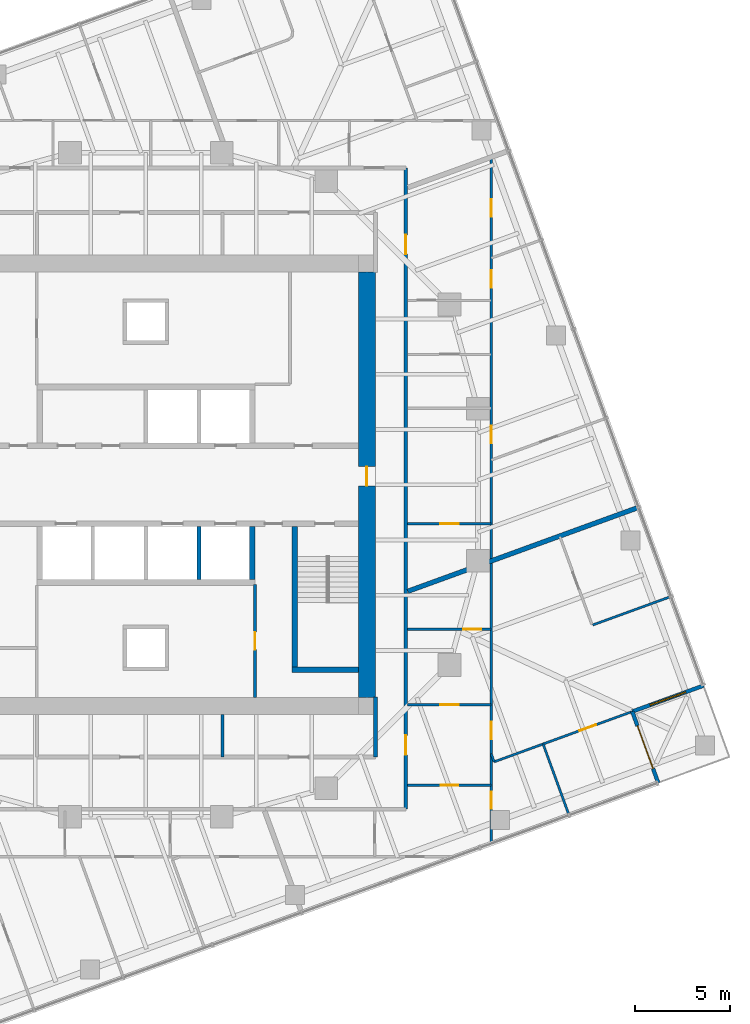
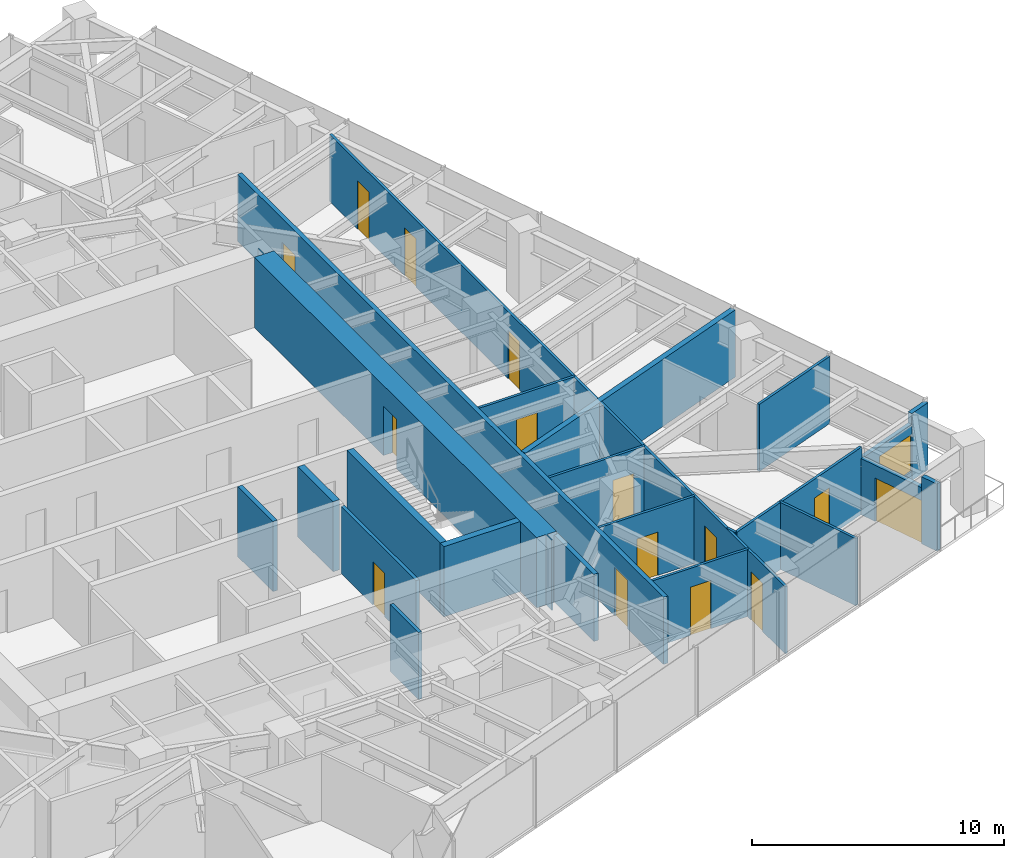
# One storey, part 9 of 13: 23 walls, 15 doors, 1 window, 16 openings.
"""IFC4 building model written with IfcOpenShell, lengths in metres."""

from ifc_helpers import new_model, si_unit, direction, frame, frame_2d, origin, place, context, subcontext, project, spatial, polyline, rectangle, outline, extrude, material, layer, layer_set, type_object, element, fill, save


model = new_model("IFC4")

# Units and contexts
model_context = context("Model", 3, precision=1e-05, world=origin(), true_north=direction((0.0, 1.0)))
body_context = subcontext(model_context, "Body", "Model", "MODEL_VIEW")
ifc_project = project(units=[si_unit("LENGTHUNIT", "METRE"), si_unit("AREAUNIT", "SQUARE_METRE"), si_unit("VOLUMEUNIT", "CUBIC_METRE"), si_unit("PLANEANGLEUNIT", "RADIAN"), si_unit("MASSUNIT", "GRAM", prefix="KILO")], contexts=[model_context])

# Site, building, storey
site_placement = place(None, origin())
site = spatial("IfcSite", under=ifc_project, at=site_placement, CompositionType="ELEMENT")
building_placement = place(site_placement, origin())
building = spatial("IfcBuilding", under=site, at=building_placement, Name="Torsade Residences", CompositionType="ELEMENT")
storey_placement = place(building_placement, frame((0.0, 0.0, 164.199951171875)))
storey = spatial("IfcBuildingStorey", under=building, at=storey_placement, Name="L45", CompositionType="ELEMENT", Elevation=164.199951171875)

# Walls
ifc_material_1 = material(Name="Concrete 80 MPa", Category="concrete")
ifc_layer_1 = layer(ifc_material_1, 0.300048828125)
ifc_layer_set_1 = layer_set([ifc_layer_1], Name="Concrete 80 MPa")
wall_type_1 = type_object("IfcWallType", Name="CORE INTERNAL WALL 300", PredefinedType="SHEAR", material=ifc_layer_set_1)
wall_1_placement = place(storey_placement, frame((45.60009765625, 27.800048828125, 0.0), z_axis=(0.0, 0.0, 1.0), x_axis=(0.0, -1.0, 0.0)))
element("IfcWall", 1, at=wall_1_placement, inside=storey, type_object=wall_type_1, Name="Core wall DS0 L45", PredefinedType="SHEAR", context=body_context, shape_type="SweptSolid", body=[
    extrude(rectangle(XDim=2.800048828125, YDim=0.300048828125, at=frame_2d((1.39990234375, 0.0))), origin(), (0.0, 0.0, 1.0), 3.400146484375),
])
wall_2_placement = place(storey_placement, frame((47.85009765625, 27.800048828125, 0.0), z_axis=(0.0, 0.0, 1.0), x_axis=(0.0, -1.0, 0.0)))
element("IfcWall", 2, at=wall_2_placement, inside=storey, type_object=wall_type_1, Name="Core wall ST2W L45", PredefinedType="SHEAR", context=body_context, shape_type="SweptSolid", body=[
    extrude(rectangle(XDim=7.699951171875, YDim=0.300048828125, at=frame_2d((3.85009765625, 0.0))), origin(), (0.0, 0.0, 1.0), 3.400146484375),
])
wall_3_placement = place(storey_placement, frame((51.199951171875, 20.25, 0.0), z_axis=(0.0, 0.0, 1.0), x_axis=(-1.0, 0.0, 0.0)))
element("IfcWall", 3, at=wall_3_placement, inside=storey, type_object=wall_type_1, Name="Core wall ST2S L45", PredefinedType="SHEAR", context=body_context, shape_type="SweptSolid", body=[
    extrude(rectangle(XDim=3.5, YDim=0.300048828125, at=frame_2d((1.75, 0.0))), origin(), (0.0, 0.0, 1.0), 3.400146484375),
])

# Wall, opening, door
ifc_material_2 = material(Name="Concrete 80 MPa", Category="concrete")
ifc_layer_2 = layer(ifc_material_2, 0.89990234375)
ifc_layer_set_2 = layer_set([ifc_layer_2], Name="Concrete 80 MPa")
wall_type_2 = type_object("IfcWallType", Name="CORE WALL 900", PredefinedType="SHEAR", material=ifc_layer_set_2)
wall_4_placement = place(storey_placement, frame((51.64990234375, 18.800048828125, 0.0), z_axis=(0.0, 0.0, 1.0), x_axis=(0.0, 1.0, 0.0)))
wall_4 = element("IfcWall", 4, at=wall_4_placement, inside=storey, type_object=wall_type_2, Name="Core wall E L45", PredefinedType="SHEAR", context=body_context, shape_type="SweptSolid", body=[
    extrude(outline(polyline([(0.0, -0.449951171875), (22.39990234375, -0.449951171875), (22.39990234375, -0.02490234375), (22.849853515625, -0.02490234375), (22.849853515625, 0.02490234375), (22.39990234375, 0.02490234375), (22.39990234375, 0.449951171875), (0.0, 0.449951171875), (0.0, 0.02490234375), (-0.449951171875, 0.02490234375), (-0.449951171875, -0.02490234375), (0.0, -0.02490234375), (0.0, -0.449951171875)])), origin(), (0.0, 0.0, 1.0), 3.400146484375),
])
opening_1_placement = place(wall_4_placement, frame((11.139892578125, 0.0, 0.0)))
opening_1 = element("IfcOpeningElement", 5, at=opening_1_placement, cuts=wall_4, Name="Opening D04", PredefinedType="OPENING", context=body_context, shape_type="SweptSolid", body=[
    extrude(rectangle(XDim=1.02001953125, YDim=2.39990234375, at=frame_2d((0.510009765625, 1.199951171875))), frame((0.0, 0.4599609375, 0.0), z_axis=(0.0, -1.0, 0.0), x_axis=(1.0, 0.0, 0.0)), (0.0, 0.0, 1.0), 0.919921875),
])
ifc_material_3 = material(Name="Steel-framed fire door", Category="steel")
door_type_1 = type_object("IfcDoorType", Name="LOBBY SMOKE DOOR 1020x2400", OperationType="NOTDEFINED", PredefinedType="DOOR", material=ifc_material_3)
door_1_placement = place(opening_1_placement, origin())
door_1 = element("IfcDoor", 6, at=door_1_placement, inside=storey, type_object=door_type_1, Name="Lift lobby door E L45", OperationType="SINGLE_SWING_LEFT", OverallHeight=2.39990234375, OverallWidth=1.02001953125, PredefinedType="DOOR", context=body_context, shape_type="SweptSolid", body=[
    extrude(rectangle(XDim=1.02001953125, YDim=2.39990234375, at=frame_2d((0.510009765625, 1.199951171875))), frame((0.0, 0.02490234375, 0.0), z_axis=(0.0, -1.0, 0.0), x_axis=(1.0, 0.0, 0.0)), (0.0, 0.0, 1.0), 0.050048828125),
])
fill(opening_1, door_1)

# Wall, openings, doors
ifc_material_4 = material(Name="Plasterboard on steel stud", Category="steel")
ifc_layer_3 = layer(ifc_material_4, 0.199951171875)
ifc_layer_set_3 = layer_set([ifc_layer_3], Name="Plasterboard on steel stud")
wall_type_3 = type_object("IfcWallType", Name="CORRIDOR WALL 200", PredefinedType="PARTITIONING", material=ifc_layer_set_3)
wall_5_placement = place(storey_placement, frame((53.699951171875, 12.89990234375, 0.0), z_axis=(0.0, 0.0, 1.0), x_axis=(0.0, 1.0, 0.0)))
wall_5 = element("IfcWall", 7, at=wall_5_placement, inside=storey, type_object=wall_type_3, Name="Corridor wall L45", PredefinedType="PARTITIONING", context=body_context, shape_type="SweptSolid", body=[
    extrude(rectangle(XDim=33.800048828125, YDim=0.199951171875, at=frame_2d((16.89990234375, 0.0))), origin(), (0.0, 0.0, 1.0), 3.25),
])
opening_2_placement = place(wall_5_placement, frame((29.25048828125, 0.0, 0.0)))
opening_2 = element("IfcOpeningElement", 8, at=opening_2_placement, cuts=wall_5, Name="Opening D01L", PredefinedType="OPENING", context=body_context, shape_type="SweptSolid", body=[
    extrude(rectangle(XDim=1.02001953125, YDim=2.10009765625, at=frame_2d((0.510009765625, 1.050048828125))), frame((0.0, 0.10986328125, 0.0), z_axis=(0.0, -1.0, 0.0), x_axis=(1.0, 0.0, 0.0)), (0.0, 0.0, 1.0), 0.219970703125),
])
opening_3_placement = place(wall_5_placement, frame((2.8701171875, 0.0, 0.0)))
opening_3 = element("IfcOpeningElement", 9, at=opening_3_placement, cuts=wall_5, Name="Opening D01", PredefinedType="OPENING", context=body_context, shape_type="SweptSolid", body=[
    extrude(rectangle(XDim=1.02001953125, YDim=2.340087890625, at=frame_2d((0.510009765625, 1.169921875))), frame((0.0, 0.10986328125, 0.0), z_axis=(0.0, -1.0, 0.0), x_axis=(1.0, 0.0, 0.0)), (0.0, 0.0, 1.0), 0.219970703125),
])
ifc_material_5 = material(Name="Solid-core timber fire door", Category="wood")
door_type_2 = type_object("IfcDoorType", Name="APARTMENT ENTRY DOOR 1020x2100", OperationType="NOTDEFINED", PredefinedType="DOOR", material=ifc_material_5)
door_2_placement = place(opening_2_placement, origin())
door_2 = element("IfcDoor", 10, at=door_2_placement, inside=storey, type_object=door_type_2, Name="Door Residential corridor to Kitchen and dining", OperationType="SINGLE_SWING_RIGHT", OverallHeight=2.10009765625, OverallWidth=1.02001953125, PredefinedType="DOOR", context=body_context, shape_type="SweptSolid", body=[
    extrude(rectangle(XDim=1.02001953125, YDim=2.10009765625, at=frame_2d((0.510009765625, 1.050048828125))), frame((0.0, 0.02490234375, 0.0), z_axis=(0.0, -1.0, 0.0), x_axis=(1.0, 0.0, 0.0)), (0.0, 0.0, 1.0), 0.050048828125),
])
fill(opening_2, door_2)
ifc_material_6 = material(Name="Solid-core timber fire door", Category="wood")
door_type_3 = type_object("IfcDoorType", Name="APARTMENT ENTRY DOOR 1020x2340", OperationType="NOTDEFINED", PredefinedType="DOOR", material=ifc_material_6)
door_3_placement = place(opening_3_placement, origin())
door_3 = element("IfcDoor", 11, at=door_3_placement, inside=storey, type_object=door_type_3, Name="Door Residential corridor to Kitchen and dining", OperationType="SINGLE_SWING_LEFT", OverallHeight=2.340087890625, OverallWidth=1.02001953125, PredefinedType="DOOR", context=body_context, shape_type="SweptSolid", body=[
    extrude(rectangle(XDim=1.02001953125, YDim=2.340087890625, at=frame_2d((0.510009765625, 1.169921875))), frame((0.0, 0.02490234375, 0.0), z_axis=(0.0, -1.0, 0.0), x_axis=(1.0, 0.0, 0.0)), (0.0, 0.0, 1.0), 0.050048828125),
])
fill(opening_3, door_3)

# Walls
wall_6_placement = place(storey_placement, frame((52.10009765625, 15.64990234375, 0.0), z_axis=(0.0, 0.0, 1.0), x_axis=(0.0, 1.0, 0.0)))
element("IfcWall", 12, at=wall_6_placement, inside=storey, type_object=wall_type_3, Name="Corridor wall L45", PredefinedType="PARTITIONING", context=body_context, shape_type="SweptSolid", body=[
    extrude(rectangle(XDim=3.170166015625, YDim=0.199951171875, at=frame_2d((1.5849609375, 0.0))), origin(), (0.0, 0.0, 1.0), 3.25),
])
ifc_material_7 = material(Name="Reinforced blockwork", Category="masonry")
ifc_layer_4 = layer(ifc_material_7, 0.199951171875)
ifc_layer_set_4 = layer_set([ifc_layer_4], Name="Reinforced blockwork")
wall_type_4 = type_object("IfcWallType", Name="LIFT SHAFT DIVIDING WALL 200", PredefinedType="SOLIDWALL", material=ifc_layer_set_4)
wall_7_placement = place(storey_placement, frame((42.800048828125, 27.800048828125, 0.0), z_axis=(0.0, 0.0, 1.0), x_axis=(0.0, -1.0, 0.0)))
element("IfcWall", 13, at=wall_7_placement, inside=storey, type_object=wall_type_4, Name="Core wall DS1 L45", PredefinedType="SOLIDWALL", context=body_context, shape_type="SweptSolid", body=[
    extrude(rectangle(XDim=2.800048828125, YDim=0.199951171875, at=frame_2d((1.39990234375, 0.0))), origin(), (0.0, 0.0, 1.0), 3.400146484375),
])

# Wall, opening, door
ifc_material_8 = material(Name="Plasterboard on steel stud", Category="steel")
ifc_layer_5 = layer(ifc_material_8, 0.1201171875)
ifc_layer_set_5 = layer_set([ifc_layer_5], Name="Plasterboard on steel stud")
wall_type_5 = type_object("IfcWallType", Name="PARTITION 120", PredefinedType="PARTITIONING", material=ifc_layer_set_5)
wall_8_placement = place(storey_placement, frame((58.199951171875, 14.16015625, 0.0), z_axis=(0.0, 0.0, 1.0), x_axis=(-1.0, 0.0, 0.0)))
wall_8 = element("IfcWall", 14, at=wall_8_placement, inside=storey, type_object=wall_type_5, Name="Partition L45", PredefinedType="PARTITIONING", context=body_context, shape_type="SweptSolid", body=[
    extrude(rectangle(XDim=4.39990234375, YDim=0.1201171875, at=frame_2d((2.199951171875, 0.0))), origin(), (0.0, 0.0, 1.0), 3.25),
])
opening_4_placement = place(wall_8_placement, frame((1.739990234375, 0.0, 0.0)))
opening_4 = element("IfcOpeningElement", 15, at=opening_4_placement, cuts=wall_8, Name="Opening D02", PredefinedType="OPENING", context=body_context, shape_type="SweptSolid", body=[
    extrude(rectangle(XDim=0.919921875, YDim=2.340087890625, at=frame_2d((0.4599609375, 1.169921875))), frame((0.0, 0.070068359375, 0.0), z_axis=(0.0, -1.0, 0.0), x_axis=(1.0, 0.0, 0.0)), (0.0, 0.0, 1.0), 0.14013671875),
])
ifc_material_9 = material(Name="Hollow-core timber door", Category="wood")
door_type_4 = type_object("IfcDoorType", Name="INTERNAL DOOR 920x2340", OperationType="NOTDEFINED", PredefinedType="DOOR", material=ifc_material_9)
door_4_placement = place(opening_4_placement, origin())
door_4 = element("IfcDoor", 16, at=door_4_placement, inside=storey, type_object=door_type_4, Name="Door Kitchen and dining to Scullery", OperationType="SINGLE_SWING_LEFT", OverallHeight=2.340087890625, OverallWidth=0.919921875, PredefinedType="DOOR", context=body_context, shape_type="SweptSolid", body=[
    extrude(rectangle(XDim=0.919921875, YDim=2.340087890625, at=frame_2d((0.4599609375, 1.169921875))), frame((0.0, 0.02490234375, 0.0), z_axis=(0.0, -1.0, 0.0), x_axis=(1.0, 0.0, 0.0)), (0.0, 0.0, 1.0), 0.050048828125),
])
fill(opening_4, door_4)

wall_9_placement = place(storey_placement, frame((53.800048828125, 18.400146484375, 0.0), z_axis=(0.0, 0.0, 1.0), x_axis=(1.0, 0.0, 0.0)))
wall_9 = element("IfcWall", 17, at=wall_9_placement, inside=storey, type_object=wall_type_5, Name="Partition L45", PredefinedType="PARTITIONING", context=body_context, shape_type="SweptSolid", body=[
    extrude(rectangle(XDim=4.39990234375, YDim=0.1201171875, at=frame_2d((2.199951171875, 0.0))), origin(), (0.0, 0.0, 1.0), 3.25),
])
opening_5_placement = place(wall_9_placement, frame((1.719970703125, 0.0, 0.0)))
opening_5 = element("IfcOpeningElement", 18, at=opening_5_placement, cuts=wall_9, Name="Opening D05", PredefinedType="OPENING", context=body_context, shape_type="SweptSolid", body=[
    extrude(rectangle(XDim=0.9599609375, YDim=2.10009765625, at=frame_2d((0.47998046875, 1.050048828125))), frame((0.0, 0.070068359375, 0.0), z_axis=(0.0, -1.0, 0.0), x_axis=(1.0, 0.0, 0.0)), (0.0, 0.0, 1.0), 0.14013671875),
])
ifc_material_10 = material(Name="Hollow-core timber door in a steel cavity frame", Category="steel")
door_type_5 = type_object("IfcDoorType", Name="BATHROOM CAVITY SLIDING DOOR 960", OperationType="SLIDING_TO_LEFT", PredefinedType="DOOR", material=ifc_material_10)
door_5_placement = place(opening_5_placement, origin())
door_5 = element("IfcDoor", 19, at=door_5_placement, inside=storey, type_object=door_type_5, Name="Door Kitchen and dining to Ensuite", OperationType="SLIDING_TO_LEFT", OverallHeight=2.10009765625, OverallWidth=0.9599609375, PredefinedType="DOOR", context=body_context, shape_type="SweptSolid", body=[
    extrude(rectangle(XDim=0.9599609375, YDim=2.10009765625, at=frame_2d((0.47998046875, 1.050048828125))), frame((0.0, 0.02490234375, 0.0), z_axis=(0.0, -1.0, 0.0), x_axis=(1.0, 0.0, 0.0)), (0.0, 0.0, 1.0), 0.050048828125),
])
fill(opening_5, door_5)

# Wall, openings, doors
wall_10_placement = place(storey_placement, frame((58.199951171875, 47.26611328125, 0.0), z_axis=(0.0, 0.0, 1.0), x_axis=(0.0, -1.0, 0.0)))
wall_10 = element("IfcWall", 20, at=wall_10_placement, inside=storey, type_object=wall_type_5, Name="Partition L45", PredefinedType="PARTITIONING", context=body_context, shape_type="SweptSolid", body=[
    extrude(rectangle(XDim=36.1396484375, YDim=0.1201171875, at=frame_2d((18.06982421875, 0.0))), origin(), (0.0, 0.0, 1.0), 3.25),
])
opening_6_placement = place(wall_10_placement, frame((2.22705078125, 0.0, 0.0)))
opening_6 = element("IfcOpeningElement", 21, at=opening_6_placement, cuts=wall_10, Name="Opening D02", PredefinedType="OPENING", context=body_context, shape_type="SweptSolid", body=[
    extrude(rectangle(XDim=0.919921875, YDim=2.340087890625, at=frame_2d((0.4599609375, 1.169921875))), frame((0.0, 0.070068359375, 0.0), z_axis=(0.0, -1.0, 0.0), x_axis=(1.0, 0.0, 0.0)), (0.0, 0.0, 1.0), 0.14013671875),
])
opening_7_placement = place(wall_10_placement, frame((5.950439453125, 0.0, 0.0)))
opening_7 = element("IfcOpeningElement", 22, at=opening_7_placement, cuts=wall_10, Name="Opening D02", PredefinedType="OPENING", context=body_context, shape_type="SweptSolid", body=[
    extrude(rectangle(XDim=0.919921875, YDim=2.340087890625, at=frame_2d((0.4599609375, 1.169921875))), frame((0.0, 0.070068359375, 0.0), z_axis=(0.0, -1.0, 0.0), x_axis=(1.0, 0.0, 0.0)), (0.0, 0.0, 1.0), 0.14013671875),
])
opening_8_placement = place(wall_10_placement, frame((29.769287109375, 0.0, 0.0)))
opening_8 = element("IfcOpeningElement", 23, at=opening_8_placement, cuts=wall_10, Name="Opening D02", PredefinedType="OPENING", context=body_context, shape_type="SweptSolid", body=[
    extrude(rectangle(XDim=0.919921875, YDim=2.340087890625, at=frame_2d((0.4599609375, 1.169921875))), frame((0.0, 0.070068359375, 0.0), z_axis=(0.0, -1.0, 0.0), x_axis=(1.0, 0.0, 0.0)), (0.0, 0.0, 1.0), 0.14013671875),
])
opening_9_placement = place(wall_10_placement, frame((14.167724609375, 0.0, 0.0)))
opening_9 = element("IfcOpeningElement", 24, at=opening_9_placement, cuts=wall_10, Name="Opening D02", PredefinedType="OPENING", context=body_context, shape_type="SweptSolid", body=[
    extrude(rectangle(XDim=0.919921875, YDim=2.340087890625, at=frame_2d((0.4599609375, 1.169921875))), frame((0.0, 0.070068359375, 0.0), z_axis=(0.0, -1.0, 0.0), x_axis=(1.0, 0.0, 0.0)), (0.0, 0.0, 1.0), 0.14013671875),
])
opening_10_placement = place(wall_10_placement, frame((33.43408203125, 0.0, 0.0)))
opening_10 = element("IfcOpeningElement", 25, at=opening_10_placement, cuts=wall_10, Name="Opening D02", PredefinedType="OPENING", context=body_context, shape_type="SweptSolid", body=[
    extrude(rectangle(XDim=0.919921875, YDim=2.340087890625, at=frame_2d((0.4599609375, 1.169921875))), frame((0.0, 0.070068359375, 0.0), z_axis=(0.0, -1.0, 0.0), x_axis=(1.0, 0.0, 0.0)), (0.0, 0.0, 1.0), 0.14013671875),
])
door_6_placement = place(opening_6_placement, origin())
door_6 = element("IfcDoor", 26, at=door_6_placement, inside=storey, type_object=door_type_4, Name="Door Kitchen and dining to Bedroom 2", OperationType="SINGLE_SWING_RIGHT", OverallHeight=2.340087890625, OverallWidth=0.919921875, PredefinedType="DOOR", context=body_context, shape_type="SweptSolid", body=[
    extrude(rectangle(XDim=0.919921875, YDim=2.340087890625, at=frame_2d((0.4599609375, 1.169921875))), frame((0.0, 0.02490234375, 0.0), z_axis=(0.0, -1.0, 0.0), x_axis=(1.0, 0.0, 0.0)), (0.0, 0.0, 1.0), 0.050048828125),
])
fill(opening_6, door_6)
door_7_placement = place(opening_7_placement, origin())
door_7 = element("IfcDoor", 27, at=door_7_placement, inside=storey, type_object=door_type_4, Name="Door Kitchen and dining to Living room", OperationType="SINGLE_SWING_LEFT", OverallHeight=2.340087890625, OverallWidth=0.919921875, PredefinedType="DOOR", context=body_context, shape_type="SweptSolid", body=[
    extrude(rectangle(XDim=0.919921875, YDim=2.340087890625, at=frame_2d((0.4599609375, 1.169921875))), frame((0.0, 0.02490234375, 0.0), z_axis=(0.0, -1.0, 0.0), x_axis=(1.0, 0.0, 0.0)), (0.0, 0.0, 1.0), 0.050048828125),
])
fill(opening_7, door_7)
door_8_placement = place(opening_8_placement, origin())
door_8 = element("IfcDoor", 28, at=door_8_placement, inside=storey, type_object=door_type_4, Name="Door Kitchen and dining to Living room", OperationType="SINGLE_SWING_RIGHT", OverallHeight=2.340087890625, OverallWidth=0.919921875, PredefinedType="DOOR", context=body_context, shape_type="SweptSolid", body=[
    extrude(rectangle(XDim=0.919921875, YDim=2.340087890625, at=frame_2d((0.4599609375, 1.169921875))), frame((0.0, 0.02490234375, 0.0), z_axis=(0.0, -1.0, 0.0), x_axis=(1.0, 0.0, 0.0)), (0.0, 0.0, 1.0), 0.050048828125),
])
fill(opening_8, door_8)
door_9_placement = place(opening_9_placement, origin())
door_9 = element("IfcDoor", 29, at=door_9_placement, inside=storey, type_object=door_type_4, Name="Door Living room to Study", OperationType="SINGLE_SWING_RIGHT", OverallHeight=2.340087890625, OverallWidth=0.919921875, PredefinedType="DOOR", context=body_context, shape_type="SweptSolid", body=[
    extrude(rectangle(XDim=0.919921875, YDim=2.340087890625, at=frame_2d((0.4599609375, 1.169921875))), frame((0.0, 0.02490234375, 0.0), z_axis=(0.0, -1.0, 0.0), x_axis=(1.0, 0.0, 0.0)), (0.0, 0.0, 1.0), 0.050048828125),
])
fill(opening_9, door_9)
door_10_placement = place(opening_10_placement, origin())
door_10 = element("IfcDoor", 30, at=door_10_placement, inside=storey, type_object=door_type_4, Name="Door Scullery to Bedroom 3", OperationType="SINGLE_SWING_RIGHT", OverallHeight=2.340087890625, OverallWidth=0.919921875, PredefinedType="DOOR", context=body_context, shape_type="SweptSolid", body=[
    extrude(rectangle(XDim=0.919921875, YDim=2.340087890625, at=frame_2d((0.4599609375, 1.169921875))), frame((0.0, 0.02490234375, 0.0), z_axis=(0.0, -1.0, 0.0), x_axis=(1.0, 0.0, 0.0)), (0.0, 0.0, 1.0), 0.050048828125),
])
fill(opening_10, door_10)

# Wall, opening, door
wall_11_placement = place(storey_placement, frame((53.800048828125, 22.384765625, 0.0), z_axis=(0.0, 0.0, 1.0), x_axis=(1.0, 0.0, 0.0)))
wall_11 = element("IfcWall", 31, at=wall_11_placement, inside=storey, type_object=wall_type_5, Name="Partition L45", PredefinedType="PARTITIONING", context=body_context, shape_type="SweptSolid", body=[
    extrude(rectangle(XDim=4.39990234375, YDim=0.1201171875, at=frame_2d((2.199951171875, 0.0))), origin(), (0.0, 0.0, 1.0), 3.25),
])
opening_11_placement = place(wall_11_placement, frame((2.919921875, 0.0, 0.0)))
opening_11 = element("IfcOpeningElement", 32, at=opening_11_placement, cuts=wall_11, Name="Opening D05", PredefinedType="OPENING", context=body_context, shape_type="SweptSolid", body=[
    extrude(rectangle(XDim=0.9599609375, YDim=2.10009765625, at=frame_2d((0.47998046875, 1.050048828125))), frame((0.0, 0.070068359375, 0.0), z_axis=(0.0, -1.0, 0.0), x_axis=(1.0, 0.0, 0.0)), (0.0, 0.0, 1.0), 0.14013671875),
])
door_11_placement = place(opening_11_placement, origin())
door_11 = element("IfcDoor", 33, at=door_11_placement, inside=storey, type_object=door_type_5, Name="Door Ensuite to Laundry", OperationType="SLIDING_TO_LEFT", OverallHeight=2.10009765625, OverallWidth=0.9599609375, PredefinedType="DOOR", context=body_context, shape_type="SweptSolid", body=[
    extrude(rectangle(XDim=0.9599609375, YDim=2.10009765625, at=frame_2d((0.47998046875, 1.050048828125))), frame((0.0, 0.02490234375, 0.0), z_axis=(0.0, -1.0, 0.0), x_axis=(1.0, 0.0, 0.0)), (0.0, 0.0, 1.0), 0.050048828125),
])
fill(opening_11, door_11)

# Wall
wall_12_placement = place(storey_placement, frame((63.54833984375, 22.608154296875, 0.0), z_axis=(0.0, 0.0, 1.0), x_axis=(0.939688742362, 0.34203079902, 0.0)))
element("IfcWall", 34, at=wall_12_placement, inside=storey, type_object=wall_type_5, Name="Partition L45", PredefinedType="PARTITIONING", context=body_context, shape_type="SweptSolid", body=[
    extrude(rectangle(XDim=4.35986328125, YDim=0.1201171875, at=frame_2d((2.179931640625, 0.0))), origin(), (0.0, 0.0, 1.0), 3.25),
])

# Wall, opening, door
wall_13_placement = place(storey_placement, frame((65.5966796875, 18.032958984375, 0.0), z_axis=(0.0, 0.0, 1.0), x_axis=(-0.939687947615, -0.342032982483, 0.0)))
wall_13 = element("IfcWall", 35, at=wall_13_placement, inside=storey, type_object=wall_type_5, Name="Partition L45", PredefinedType="PARTITIONING", context=body_context, shape_type="SweptSolid", body=[
    extrude(rectangle(XDim=7.70751953125, YDim=0.1201171875, at=frame_2d((3.853759765625, 0.0))), origin(), (0.0, 0.0, 1.0), 3.25),
])
opening_12_placement = place(wall_13_placement, frame((2.0, 0.0, 0.0)))
opening_12 = element("IfcOpeningElement", 36, at=opening_12_placement, cuts=wall_13, Name="Opening D02", PredefinedType="OPENING", context=body_context, shape_type="SweptSolid", body=[
    extrude(rectangle(XDim=0.919921875, YDim=2.340087890625, at=frame_2d((0.4599609375, 1.169921875))), frame((0.0, 0.070068359375, 0.0), z_axis=(0.0, -1.0, 0.0), x_axis=(1.0, 0.0, 0.0)), (0.0, 0.0, 1.0), 0.14013671875),
])
door_12_placement = place(opening_12_placement, origin())
door_12 = element("IfcDoor", 37, at=door_12_placement, inside=storey, type_object=door_type_4, Name="Door Living room to Bedroom 2", OperationType="SINGLE_SWING_RIGHT", OverallHeight=2.340087890625, OverallWidth=0.919921875, PredefinedType="DOOR", context=body_context, shape_type="SweptSolid", body=[
    extrude(rectangle(XDim=0.919921875, YDim=2.340087890625, at=frame_2d((0.4599609375, 1.169921875))), frame((0.0, 0.02490234375, 0.0), z_axis=(0.0, -1.0, 0.0), x_axis=(1.0, 0.0, 0.0)), (0.0, 0.0, 1.0), 0.050048828125),
])
fill(opening_12, door_12)

# Walls
wall_14_placement = place(storey_placement, frame((58.35400390625, 15.396728515625, 0.0), z_axis=(0.0, 0.0, 1.0), x_axis=(-0.342309246526, 0.939587345457, 0.0)))
element("IfcWall", 38, at=wall_14_placement, inside=storey, type_object=wall_type_5, Name="Partition L45", PredefinedType="PARTITIONING", context=body_context, shape_type="SweptSolid", body=[
    extrude(rectangle(XDim=0.449951171875, YDim=0.1201171875, at=frame_2d((0.22509765625, 0.0))), origin(), (0.0, 0.0, 1.0), 3.25),
])
wall_15_placement = place(storey_placement, frame((62.290283203125, 12.615234375, 0.0), z_axis=(0.0, 0.0, 1.0), x_axis=(-0.342040051101, 0.939685374709, 0.0)))
element("IfcWall", 39, at=wall_15_placement, inside=storey, type_object=wall_type_5, Name="Partition L45", PredefinedType="PARTITIONING", context=body_context, shape_type="SweptSolid", body=[
    extrude(rectangle(XDim=3.9599609375, YDim=0.1201171875, at=frame_2d((1.97998046875, 0.0))), origin(), (0.0, 0.0, 1.0), 3.25),
])

# Wall, opening, door
wall_16_placement = place(storey_placement, frame((53.800048828125, 27.940673828125, 0.0), z_axis=(0.0, 0.0, 1.0), x_axis=(1.0, 0.0, 0.0)))
wall_16 = element("IfcWall", 40, at=wall_16_placement, inside=storey, type_object=wall_type_5, Name="Partition L45", PredefinedType="PARTITIONING", context=body_context, shape_type="SweptSolid", body=[
    extrude(rectangle(XDim=4.39990234375, YDim=0.1201171875, at=frame_2d((2.199951171875, 0.0))), origin(), (0.0, 0.0, 1.0), 3.25),
])
opening_13_placement = place(wall_16_placement, frame((1.719970703125, 0.0, 0.0)))
opening_13 = element("IfcOpeningElement", 41, at=opening_13_placement, cuts=wall_16, Name="Opening D05", PredefinedType="OPENING", context=body_context, shape_type="SweptSolid", body=[
    extrude(rectangle(XDim=0.9599609375, YDim=2.10009765625, at=frame_2d((0.47998046875, 1.050048828125))), frame((0.0, 0.070068359375, 0.0), z_axis=(0.0, -1.0, 0.0), x_axis=(1.0, 0.0, 0.0)), (0.0, 0.0, 1.0), 0.14013671875),
])
door_13_placement = place(opening_13_placement, origin())
door_13 = element("IfcDoor", 42, at=door_13_placement, inside=storey, type_object=door_type_5, Name="Door Study to Ensuite", OperationType="SLIDING_TO_LEFT", OverallHeight=2.10009765625, OverallWidth=0.9599609375, PredefinedType="DOOR", context=body_context, shape_type="SweptSolid", body=[
    extrude(rectangle(XDim=0.9599609375, YDim=2.10009765625, at=frame_2d((0.47998046875, 1.050048828125))), frame((0.0, 0.02490234375, 0.0), z_axis=(0.0, -1.0, 0.0), x_axis=(1.0, 0.0, 0.0)), (0.0, 0.0, 1.0), 0.050048828125),
])
fill(opening_13, door_13)

# Wall
ifc_material_11 = material(Name="Masonry-lined stud party wall", Category="masonry")
ifc_layer_6 = layer(ifc_material_11, 0.25)
ifc_layer_set_6 = layer_set([ifc_layer_6], Name="Masonry-lined stud party wall")
wall_type_6 = type_object("IfcWallType", Name="PARTY WALL 250", PredefinedType="PARTITIONING", material=ifc_layer_set_6)
wall_17_placement = place(storey_placement, frame((65.972900390625, 28.8115234375, 0.0), z_axis=(0.0, 0.0, 1.0), x_axis=(-0.939692090592, -0.342021600019, 0.0)))
element("IfcWall", 43, at=wall_17_placement, inside=storey, type_object=wall_type_6, Name="Party wall L45", PredefinedType="PARTITIONING", context=body_context, shape_type="SweptSolid", body=[
    extrude(rectangle(XDim=12.94873046875, YDim=0.25, at=frame_2d((6.474365234375, 0.0))), origin(), (0.0, 0.0, 1.0), 3.25),
])

# Wall, opening, door
ifc_material_12 = material(Name="Reinforced blockwork", Category="masonry")
ifc_layer_7 = layer(ifc_material_12, 0.14990234375)
ifc_layer_set_7 = layer_set([ifc_layer_7], Name="Reinforced blockwork")
wall_type_7 = type_object("IfcWallType", Name="SERVICE ROOM WALL 150", PredefinedType="SOLIDWALL", material=ifc_layer_set_7)
wall_18_placement = place(storey_placement, frame((45.75, 18.800048828125, 0.0), z_axis=(0.0, 0.0, 1.0), x_axis=(0.0, 1.0, 0.0)))
wall_18 = element("IfcWall", 44, at=wall_18_placement, inside=storey, type_object=wall_type_7, Name="Service room wall L45", PredefinedType="SOLIDWALL", context=body_context, shape_type="SweptSolid", body=[
    extrude(rectangle(XDim=5.949951171875, YDim=0.14990234375, at=frame_2d((2.97509765625, 0.0))), origin(), (0.0, 0.0, 1.0), 3.25),
])
opening_14_placement = place(wall_18_placement, frame((2.514892578125, 0.0, 0.0)))
opening_14 = element("IfcOpeningElement", 45, at=opening_14_placement, cuts=wall_18, Name="Opening D06", PredefinedType="OPENING", context=body_context, shape_type="SweptSolid", body=[
    extrude(rectangle(XDim=0.919921875, YDim=2.10009765625, at=frame_2d((0.4599609375, 1.050048828125))), frame((0.0, 0.0849609375, 0.0), z_axis=(0.0, -1.0, 0.0), x_axis=(1.0, 0.0, 0.0)), (0.0, 0.0, 1.0), 0.169921875),
])
ifc_material_13 = material(Name="Steel-framed fire door", Category="steel")
door_type_6 = type_object("IfcDoorType", Name="FIRE DOOR 920", OperationType="NOTDEFINED", PredefinedType="DOOR", material=ifc_material_13)
door_14_placement = place(opening_14_placement, origin())
door_14 = element("IfcDoor", 46, at=door_14_placement, inside=storey, type_object=door_type_6, Name="Door Communications equipment store to Communications riser room", OperationType="SINGLE_SWING_LEFT", OverallHeight=2.10009765625, OverallWidth=0.919921875, PredefinedType="DOOR", context=body_context, shape_type="SweptSolid", body=[
    extrude(rectangle(XDim=0.919921875, YDim=2.10009765625, at=frame_2d((0.4599609375, 1.050048828125))), frame((0.0, 0.02490234375, 0.0), z_axis=(0.0, -1.0, 0.0), x_axis=(1.0, 0.0, 0.0)), (0.0, 0.0, 1.0), 0.050048828125),
])
fill(opening_14, door_14)

# Walls
wall_19_placement = place(storey_placement, frame((44.04150390625, 15.64990234375, 0.0), z_axis=(0.0, 0.0, 1.0), x_axis=(0.0, 1.0, 0.0)))
element("IfcWall", 47, at=wall_19_placement, inside=storey, type_object=wall_type_7, Name="Service room wall L45", PredefinedType="SOLIDWALL", context=body_context, shape_type="SweptSolid", body=[
    extrude(rectangle(XDim=2.25, YDim=0.14990234375, at=frame_2d((1.125, 0.0))), origin(), (0.0, 0.0, 1.0), 3.25),
])
ifc_material_14 = material(Name="Stone-faced precast concrete 40 MPa panel", Category="masonry")
ifc_layer_8 = layer(ifc_material_14, 0.199951171875)
ifc_layer_set_8 = layer_set([ifc_layer_8], Name="Stone-faced precast concrete 40 MPa panel")
wall_type_8 = type_object("IfcWallType", Name="TERRACE WALL 200", PredefinedType="SOLIDWALL", material=ifc_layer_set_8)
wall_20_placement = place(storey_placement, frame((67.00244140625, 14.287841796875, 0.0), z_axis=(0.0, 0.0, 1.0), x_axis=(-0.342110593602, 0.939659694648, 0.0)))
element("IfcWall", 48, at=wall_20_placement, inside=storey, type_object=wall_type_8, Name="Terrace wall L45 2", PredefinedType="SOLIDWALL", context=body_context, shape_type="SweptSolid", body=[
    extrude(rectangle(XDim=0.800048828125, YDim=0.199951171875, at=frame_2d((0.39990234375, 0.0))), origin(), (0.0, 0.0, 1.0), 3.25),
])

# Wall, opening, door
wall_21_placement = place(storey_placement, frame((66.728759765625, 15.03955078125, 0.0), z_axis=(0.0, 0.0, 1.0), x_axis=(-0.342018703306, 0.939693144909, 0.0)))
wall_21 = element("IfcWall", 49, at=wall_21_placement, inside=storey, type_object=wall_type_8, Name="Terrace wall L45 2", PredefinedType="SOLIDWALL", context=body_context, shape_type="SweptSolid", body=[
    extrude(rectangle(XDim=3.199951171875, YDim=0.199951171875, at=frame_2d((1.60009765625, 0.0))), origin(), (0.0, 0.0, 1.0), 2.72216796875),
])
opening_15_placement = place(wall_21_placement, origin())
opening_15 = element("IfcOpeningElement", 50, at=opening_15_placement, cuts=wall_21, Name="Opening D10A", PredefinedType="OPENING", context=body_context, shape_type="SweptSolid", body=[
    extrude(rectangle(XDim=2.39990234375, YDim=2.10009765625, at=frame_2d((1.199951171875, 1.050048828125))), frame((0.0, 0.10986328125, 0.0), z_axis=(0.0, -1.0, 0.0), x_axis=(1.0, 0.0, 0.0)), (0.0, 0.0, 1.0), 0.219970703125),
])
ifc_material_15 = material(Name="Aluminium-framed glass door", Category="aluminium")
door_type_7 = type_object("IfcDoorType", Name="TERRACE SLIDING DOOR 2400x2100", OperationType="SLIDING_TO_LEFT", PredefinedType="DOOR", material=ifc_material_15)
door_15_placement = place(opening_15_placement, origin())
door_15 = element("IfcDoor", 51, at=door_15_placement, inside=storey, type_object=door_type_7, Name="Terrace door L45 2", OperationType="SLIDING_TO_LEFT", OverallHeight=2.10009765625, OverallWidth=2.39990234375, PredefinedType="DOOR", context=body_context, shape_type="SweptSolid", body=[
    extrude(rectangle(XDim=2.39990234375, YDim=2.10009765625, at=frame_2d((1.199951171875, 1.050048828125))), frame((0.0, 0.02490234375, 0.0), z_axis=(0.0, -1.0, 0.0), x_axis=(1.0, 0.0, 0.0)), (0.0, 0.0, 1.0), 0.050048828125),
])
fill(opening_15, door_15)

# Wall, opening, window
wall_22_placement = place(storey_placement, frame((65.63427734375, 18.046630859375, 0.0), z_axis=(0.0, 0.0, 1.0), x_axis=(0.939712609717, 0.341965219194, 0.0)))
wall_22 = element("IfcWall", 52, at=wall_22_placement, inside=storey, type_object=wall_type_8, Name="Terrace wall L45 3", PredefinedType="SOLIDWALL", context=body_context, shape_type="SweptSolid", body=[
    extrude(rectangle(XDim=3.0, YDim=0.199951171875, at=frame_2d((1.5, 0.0))), origin(), (0.0, 0.0, 1.0), 2.72216796875),
])
opening_16_placement = place(wall_22_placement, frame((1.0, 0.0, 0.449951171875)))
opening_16 = element("IfcOpeningElement", 53, at=opening_16_placement, cuts=wall_22, Name="Opening W1B", PredefinedType="OPENING", context=body_context, shape_type="SweptSolid", body=[
    extrude(rectangle(XDim=2.0, YDim=1.800048828125, at=frame_2d((1.0, 0.89990234375))), frame((0.0, 0.10986328125, 0.0), z_axis=(0.0, -1.0, 0.0), x_axis=(1.0, 0.0, 0.0)), (0.0, 0.0, 1.0), 0.219970703125),
])
ifc_material_16 = material(Name="Aluminium-framed glass window", Category="aluminium")
window_type = type_object("IfcWindowType", Name="TERRACE WINDOW 2000x1800", PartitioningType="SINGLE_PANEL", PredefinedType="WINDOW", material=ifc_material_16)
window_placement = place(opening_16_placement, origin())
window = element("IfcWindow", 54, at=window_placement, inside=storey, type_object=window_type, Name="Terrace window L45 3", OverallHeight=1.800048828125, OverallWidth=2.0, PartitioningType="SINGLE_PANEL", PredefinedType="WINDOW", context=body_context, shape_type="SweptSolid", body=[
    extrude(rectangle(XDim=2.0, YDim=1.800048828125, at=frame_2d((1.0, 0.89990234375))), frame((0.0, 0.030029296875, 0.0), z_axis=(0.0, -1.0, 0.0), x_axis=(1.0, 0.0, 0.0)), (0.0, 0.0, 1.0), 0.06005859375),
])
fill(opening_16, window)

# Wall
wall_23_placement = place(storey_placement, frame((68.453369140625, 19.072509765625, 0.0), z_axis=(0.0, 0.0, 1.0), x_axis=(0.939686455819, 0.342037080957, 0.0)))
element("IfcWall", 55, at=wall_23_placement, inside=storey, type_object=wall_type_8, Name="Terrace wall L45 3", PredefinedType="SOLIDWALL", context=body_context, shape_type="SweptSolid", body=[
    extrude(rectangle(XDim=1.0, YDim=0.199951171875, at=frame_2d((0.5, 0.0))), origin(), (0.0, 0.0, 1.0), 3.25),
])

save(model, "model.ifc")
